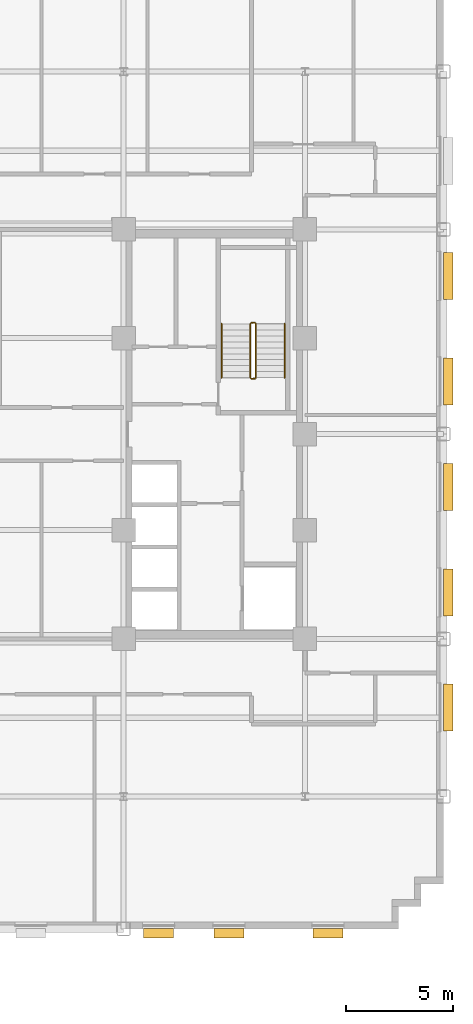
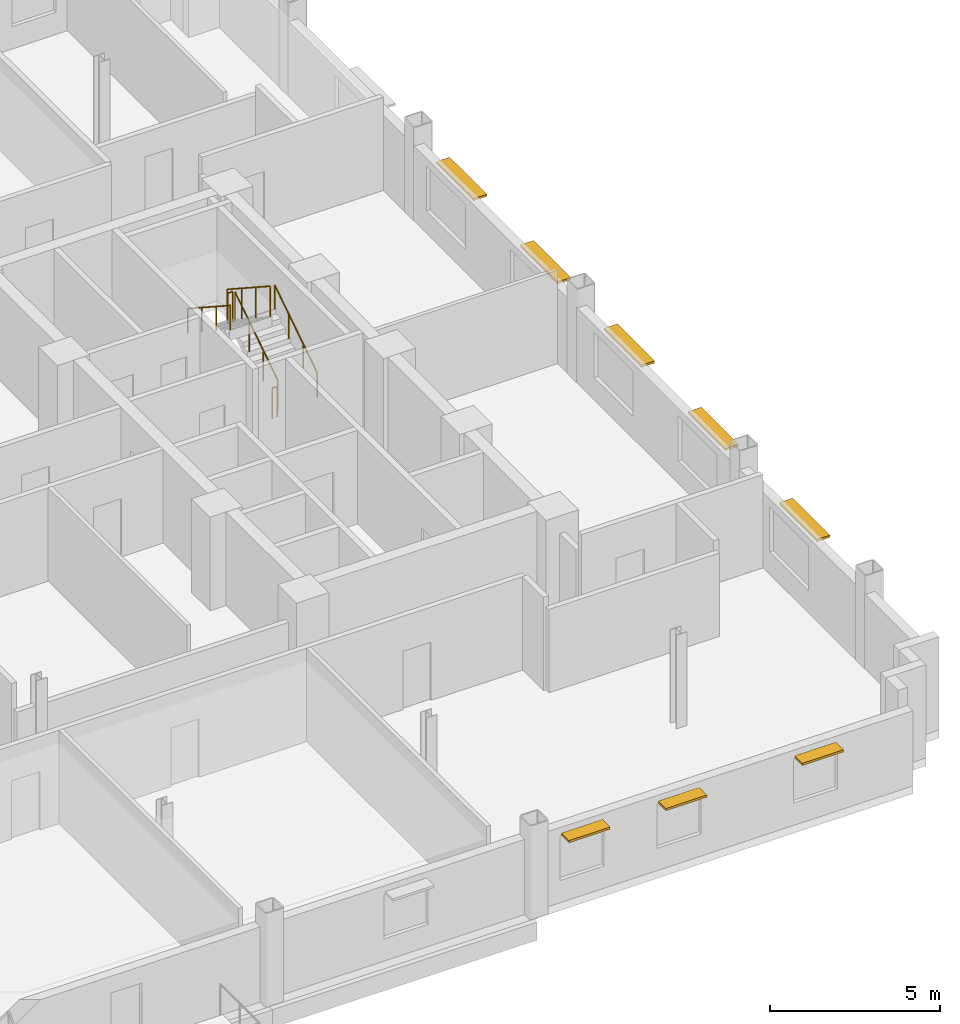
# One storey, part 13 of 14: 8 shading devices, 6 railings.
"""IFC4 building model written with IfcOpenShell, lengths in metres."""

import ifcopenshell
import ifcopenshell.guid

model = None  # the IFC model being written
_history = None  # IfcOwnerHistory: only IFC2X3 demands one
_inside = {}  # id of a spatial element -> (the spatial element, [elements in it])
_under = {}  # id of a project, library or spatial element -> (it, [spatial elements below it])
_declared = {}  # id of a project -> (the project, [libraries it declares])
_typed = {}  # id of a type object -> (the type object, [elements of that type])
_made_of = {}  # id of a material, layer set ... -> (it, [elements and type objects made of it])


def new_model(schema):
    """Start an empty IFC model of exactly this schema.

    Asked for "IFC4X3", IfcOpenShell would pick the latest addendum, in which some entities
    have other attributes; the version numbers below select the first issue.
    IFC2X3 requires an IfcOwnerHistory on every rooted entity: one is made here for all.
    """
    global model, _history
    if schema == "IFC4X3":
        model = ifcopenshell.file(schema_version=(4, 3, 0, 0))
    else:
        model = ifcopenshell.file(schema=schema)
    _inside.clear()
    _under.clear()
    _declared.clear()
    _typed.clear()
    _made_of.clear()
    _history = None
    if model.schema == "IFC2X3":
        org = make("IfcOrganization", Name="unknown")
        user = make(
            "IfcPersonAndOrganization",
            ThePerson=make("IfcPerson", FamilyName="unknown"),
            TheOrganization=org,
        )
        app = make(
            "IfcApplication",
            ApplicationDeveloper=org,
            Version="unknown",
            ApplicationFullName="unknown",
            ApplicationIdentifier="unknown",
        )
        _history = make(
            "IfcOwnerHistory",
            OwningUser=user,
            OwningApplication=app,
            ChangeAction="ADDED",
            CreationDate=0,
        )
    return model


def make(cls, **values):
    """One entity of the class cls with the attributes given. An attribute that is None is left unset."""
    return model.create_entity(
        cls, **{name: value for name, value in values.items() if value is not None}
    )


def rooted(cls, **values):
    """An entity with a GlobalId (a new one), such as an element, a storey or a relation."""
    return make(cls, GlobalId=ifcopenshell.guid.new(), OwnerHistory=_history, **values)


def si_unit(unit_type, name, prefix=None):
    """IfcSIUnit, for example si_unit("LENGTHUNIT", "METRE", prefix="MILLI")."""
    return make("IfcSIUnit", UnitType=unit_type, Prefix=prefix, Name=name)


def assignment(units):
    """IfcUnitAssignment: the units of a project."""
    return None if units is None else make("IfcUnitAssignment", Units=units)


def point(xyz):
    """IfcCartesianPoint."""
    return None if xyz is None else make("IfcCartesianPoint", Coordinates=xyz)


def direction(xyz):
    """IfcDirection."""
    return None if xyz is None else make("IfcDirection", DirectionRatios=xyz)


def frame(location, z_axis=None, x_axis=None):
    """IfcAxis2Placement3D, a coordinate frame: its origin and axes. An axis left out is left unset."""
    return make(
        "IfcAxis2Placement3D",
        Location=point(location),
        Axis=direction(z_axis),
        RefDirection=direction(x_axis),
    )


def frame_2d(location, x_axis=None):
    """IfcAxis2Placement2D, a coordinate frame in the plane: its origin and x axis."""
    return make(
        "IfcAxis2Placement2D", Location=point(location), RefDirection=direction(x_axis)
    )


def origin():
    """The frame at (0, 0, 0) with its axes left unset."""
    return frame((0.0, 0.0, 0.0))


def origin_2d():
    """The frame at (0, 0) in the plane with its x axis left unset."""
    return frame_2d((0.0, 0.0))


def place(relative_to, where):
    """IfcLocalPlacement: puts the frame where relative to a parent placement (None: the world)."""
    return make(
        "IfcLocalPlacement", PlacementRelTo=relative_to, RelativePlacement=where
    )


def context(
    kind, dimensions, precision=None, world=None, true_north=None, identifier=None
):
    """IfcGeometricRepresentationContext, for example the 3D "Model" context."""
    return make(
        "IfcGeometricRepresentationContext",
        ContextIdentifier=identifier,
        ContextType=kind,
        CoordinateSpaceDimension=dimensions,
        Precision=precision,
        WorldCoordinateSystem=world,
        TrueNorth=true_north,
    )


def subcontext(parent, identifier, kind, view, scale=None):
    """IfcGeometricRepresentationSubContext, for example "Body" below "Model"."""
    return make(
        "IfcGeometricRepresentationSubContext",
        ContextIdentifier=identifier,
        ContextType=kind,
        ParentContext=parent,
        TargetScale=scale,
        TargetView=view,
    )


def project(units=None, contexts=None):
    """IfcProject with its units and contexts."""
    return rooted(
        "IfcProject",
        Name="project",
        RepresentationContexts=contexts,
        UnitsInContext=assignment(units),
    )


def spatial(cls, under=None, at=None, **own):
    """A site, building, storey or space (cls), placed at a placement, below another one or the project."""
    s = rooted(cls, ObjectPlacement=at, **own)
    if under is not None:
        _under.setdefault(under.id(), (under, []))[1].append(s)
    return s


def profile(cls, at=None, kind="AREA", **sizes):
    """A parametric profile (cls). Its sizes go by their IFC names, for example OverallWidth=200.0."""
    return make(cls, ProfileType=kind, Position=at, **sizes)


def rectangle(**sizes):
    """IfcRectangleProfileDef."""
    return profile("IfcRectangleProfileDef", **sizes)


def circle(**sizes):
    """IfcCircleProfileDef."""
    return profile("IfcCircleProfileDef", **sizes)


def extrude(swept, where, along, depth):
    """IfcExtrudedAreaSolid: the profile swept, set in the frame where, extruded along a direction by depth."""
    return make(
        "IfcExtrudedAreaSolid",
        SweptArea=swept,
        Position=where,
        ExtrudedDirection=direction(along),
        Depth=depth,
    )


def shape(context_of_items, identifier, shape_type, items):
    """IfcShapeRepresentation: the items that make up one representation, for example the "Body"."""
    return make(
        "IfcShapeRepresentation",
        ContextOfItems=context_of_items,
        RepresentationIdentifier=identifier,
        RepresentationType=shape_type,
        Items=items,
    )


def source(mapping_origin, context_of_items, identifier, shape_type, items):
    """IfcRepresentationMap: a shape defined once, which mapped items show again and again."""
    return make(
        "IfcRepresentationMap",
        MappingOrigin=mapping_origin,
        MappedRepresentation=shape(context_of_items, identifier, shape_type, items),
    )


def transform(
    local_origin,
    x_axis=None,
    y_axis=None,
    z_axis=None,
    scale=None,
    scale2=None,
    scale3=None,
    uniform=True,
):
    """IfcCartesianTransformationOperator3D, or its non-uniform kind. x_axis, y_axis, z_axis: its Axis1, 2, 3."""
    if uniform:
        return make(
            "IfcCartesianTransformationOperator3D",
            Axis1=direction(x_axis),
            Axis2=direction(y_axis),
            LocalOrigin=point(local_origin),
            Scale=scale,
            Axis3=direction(z_axis),
        )
    return make(
        "IfcCartesianTransformationOperator3DnonUniform",
        Axis1=direction(x_axis),
        Axis2=direction(y_axis),
        LocalOrigin=point(local_origin),
        Scale=scale,
        Axis3=direction(z_axis),
        Scale2=scale2,
        Scale3=scale3,
    )


def mapped(mapping_source, mapping_target):
    """IfcMappedItem: shows the shape of a source again, moved by a transform."""
    return make(
        "IfcMappedItem", MappingSource=mapping_source, MappingTarget=mapping_target
    )


def material(Name=None, Category=None):
    """IfcMaterial."""
    return make("IfcMaterial", Name=Name, Category=Category)


def made_of(thing, what):
    """Note that an element or type object is made of a material, layer set ...; save() writes the relation."""
    if what is not None:
        _made_of.setdefault(what.id(), (what, []))[1].append(thing)
    return thing


def type_object(cls, material=None, **own):
    """A type object (cls), such as IfcWallType, which elements share."""
    return made_of(rooted(cls, **own), material)


def type_shapes(of_type, sources):
    """Give a type object the sources (RepresentationMaps) that its elements show as mapped items."""
    of_type.RepresentationMaps = sources


def element(
    cls,
    number,
    at=None,
    inside=None,
    cuts=None,
    type_object=None,
    material=None,
    context=None,
    identifier="Body",
    shape_type=None,
    held_by="IfcProductDefinitionShape",
    body=None,
    shapes=None,
    **own,
):
    """One element of the class cls, such as IfcWall. Its Tag is "e" and its number.

    at: its placement. inside: the storey or other place that contains it. cuts: it is an
    opening in that element (IfcRelVoidsElement). A single representation is given by context,
    identifier, shape_type and body (its items); several are given by shapes. held_by: the class
    of the entity that holds the representations. save() writes the other relations.
    """
    e = rooted(cls, Tag="e%d" % number, ObjectPlacement=at, **own)
    if body is not None:
        shapes = [shape(context, identifier, shape_type, body)]
    if shapes is not None:
        e.Representation = make(held_by, Representations=shapes)
    if inside is not None:
        _inside.setdefault(inside.id(), (inside, []))[1].append(e)
    if cuts is not None:
        rooted(
            "IfcRelVoidsElement", RelatingBuildingElement=cuts, RelatedOpeningElement=e
        )
    if type_object is not None:
        _typed.setdefault(type_object.id(), (type_object, []))[1].append(e)
    return made_of(e, material)


def aggregate(whole, parts):
    """IfcRelAggregates: a whole, such as a stair, and the parts it consists of."""
    return rooted("IfcRelAggregates", RelatingObject=whole, RelatedObjects=parts)


def save(model, path):
    """Write the relations noted so far, then the file.

    IfcRelAggregates (storeys below a building ...), IfcRelContainedInSpatialStructure (elements
    in a storey), IfcRelDefinesByType, IfcRelAssociatesMaterial and IfcRelDeclares: one each for
    every whole, place, type object, material and project.
    """
    for whole, parts in _under.values():
        aggregate(whole, parts)
    for where, things in _inside.values():
        rooted(
            "IfcRelContainedInSpatialStructure",
            RelatedElements=things,
            RelatingStructure=where,
        )
    for kind, things in _typed.values():
        rooted("IfcRelDefinesByType", RelatedObjects=things, RelatingType=kind)
    for what, things in _made_of.values():
        rooted("IfcRelAssociatesMaterial", RelatedObjects=things, RelatingMaterial=what)
    for by, libraries in _declared.values():
        rooted("IfcRelDeclares", RelatingContext=by, RelatedDefinitions=libraries)
    model.write(path)


model = new_model("IFC4")

# Units and contexts
model_context = context("Model", 3, precision=1e-05, world=origin(), true_north=direction((0.0, 1.0)))
body_context = subcontext(model_context, "Body", "Model", "MODEL_VIEW")
ifc_project = project(units=[si_unit("LENGTHUNIT", "METRE"), si_unit("AREAUNIT", "SQUARE_METRE"), si_unit("VOLUMEUNIT", "CUBIC_METRE"), si_unit("PLANEANGLEUNIT", "RADIAN"), si_unit("MASSUNIT", "GRAM", prefix="KILO")], contexts=[model_context])

# Site, building, storey
site_placement = place(None, origin())
site = spatial("IfcSite", under=ifc_project, at=site_placement, CompositionType="ELEMENT")
building_placement = place(site_placement, origin())
building = spatial("IfcBuilding", under=site, at=building_placement, Name="Nuvemarco Arch Tower", CompositionType="ELEMENT")
storey_placement = place(building_placement, frame((0.0, 0.0, 109.25)))
storey = spatial("IfcBuildingStorey", under=building, at=storey_placement, Name="L28", CompositionType="ELEMENT", Elevation=109.25)

# Railings
ifc_material_1 = material(Name="Brushed stainless steel handrail", Category="steel")
railing_type_1 = type_object("IfcRailingType", Name="RL-HANDRAIL-900", PredefinedType="HANDRAIL", material=ifc_material_1)
railing_1_placement = place(storey_placement, frame((16.550048828125, 2.64990234375, 0.1826171875)))
element("IfcRailing", 1, at=railing_1_placement, inside=storey, type_object=railing_type_1, Name="L28 ST-2 stair handrail 1", PredefinedType="HANDRAIL", context=body_context, shape_type="SweptSolid", body=[
    extrude(circle(Radius=0.02392578125, at=origin_2d()), frame((0.0, 0.0, 0.8759765625), z_axis=(0.0, 0.837786554691, 0.545997883492), x_axis=(-1.0, 0.0, 0.0)), (0.0, 0.0, 1.0), 3.008056640625),
    extrude(circle(Radius=0.02099609375, at=origin_2d()), origin(), (0.0, 0.0, 1.0), 0.851806640625),
    extrude(circle(Radius=0.02099609375, at=origin_2d()), frame((0.0, 0.840087890625, 0.54736328125)), (0.0, 0.0, 1.0), 0.851806640625),
    extrude(circle(Radius=0.02099609375, at=origin_2d()), frame((0.0, 1.679931640625, 1.094970703125)), (0.0, 0.0, 1.0), 0.851806640625),
    extrude(circle(Radius=0.02099609375, at=origin_2d()), frame((0.0, 2.52001953125, 1.642333984375)), (0.0, 0.0, 1.0), 0.851806640625),
])
railing_2_placement = place(storey_placement, frame((13.590087890625, 5.169921875, 2.007568359375)))
element("IfcRailing", 2, at=railing_2_placement, inside=storey, type_object=railing_type_1, Name="L28 ST-2 stair handrail 2", PredefinedType="HANDRAIL", context=body_context, shape_type="SweptSolid", body=[
    extrude(circle(Radius=0.02392578125, at=origin_2d()), frame((0.0, 0.0, 0.8759765625), z_axis=(0.0, -0.837786554691, 0.545997883492), x_axis=(1.0, 0.0, 0.0)), (0.0, 0.0, 1.0), 3.008056640625),
    extrude(circle(Radius=0.02099609375, at=origin_2d()), origin(), (0.0, 0.0, 1.0), 0.851806640625),
    extrude(circle(Radius=0.02099609375, at=origin_2d()), frame((0.0, -0.840087890625, 0.54736328125)), (0.0, 0.0, 1.0), 0.851806640625),
    extrude(circle(Radius=0.02099609375, at=origin_2d()), frame((0.0, -1.679931640625, 1.094970703125)), (0.0, 0.0, 1.0), 0.851806640625),
    extrude(circle(Radius=0.02099609375, at=origin_2d()), frame((0.0, -2.52001953125, 1.642333984375)), (0.0, 0.0, 1.0), 0.851806640625),
])
ifc_material_2 = material(Name="Painted balustrade steel S355", Category="steel")
railing_type_2 = type_object("IfcRailingType", Name="RL-STAIR-GUARD", PredefinedType="GUARDRAIL", material=ifc_material_2)
railing_3_placement = place(storey_placement, frame((15.199951171875, 2.64990234375, 0.1826171875)))
element("IfcRailing", 3, at=railing_3_placement, inside=storey, type_object=railing_type_2, Name="L28 ST-2 stair guard 1", PredefinedType="GUARDRAIL", context=body_context, shape_type="SweptSolid", body=[
    extrude(circle(Radius=0.02392578125, at=origin_2d()), frame((0.0, 0.0, 1.09619140625), z_axis=(0.0, 0.837786554691, 0.545997883492), x_axis=(-1.0, 0.0, 0.0)), (0.0, 0.0, 1.0), 3.008056640625),
    extrude(circle(Radius=0.02099609375, at=origin_2d()), origin(), (0.0, 0.0, 1.0), 1.072021484375),
    extrude(circle(Radius=0.02099609375, at=origin_2d()), frame((0.0, 0.840087890625, 0.54736328125)), (0.0, 0.0, 1.0), 1.072021484375),
    extrude(circle(Radius=0.02099609375, at=origin_2d()), frame((0.0, 1.679931640625, 1.094970703125)), (0.0, 0.0, 1.0), 1.072021484375),
    extrude(circle(Radius=0.02099609375, at=origin_2d()), frame((0.0, 2.52001953125, 1.642333984375)), (0.0, 0.0, 1.0), 1.072021484375),
])
railing_4_placement = place(storey_placement, frame((15.14990234375, 5.219970703125, 1.824951171875)))
element("IfcRailing", 4, at=railing_4_placement, inside=storey, type_object=railing_type_2, Name="L28 ST-2 stair guard 2", PredefinedType="GUARDRAIL", context=body_context, shape_type="SweptSolid", body=[
    extrude(circle(Radius=0.02392578125, at=origin_2d()), frame((0.0, 0.0, 1.09619140625), z_axis=(-1.0, 0.0, 0.0), x_axis=(0.0, -1.0, 0.0)), (0.0, 0.0, 1.0), 0.159912109375),
    extrude(circle(Radius=0.02099609375, at=origin_2d()), origin(), (0.0, 0.0, 1.0), 1.072021484375),
    extrude(circle(Radius=0.02099609375, at=origin_2d()), frame((-0.159912109375, 0.0, 0.0)), (0.0, 0.0, 1.0), 1.072021484375),
])
railing_5_placement = place(storey_placement, frame((14.93994140625, 5.169921875, 2.007568359375)))
element("IfcRailing", 5, at=railing_5_placement, inside=storey, type_object=railing_type_2, Name="L28 ST-2 stair guard 3", PredefinedType="GUARDRAIL", context=body_context, shape_type="SweptSolid", body=[
    extrude(circle(Radius=0.02392578125, at=origin_2d()), frame((0.0, 0.0, 1.09619140625), z_axis=(0.0, -0.837786554691, 0.545997883492), x_axis=(1.0, 0.0, 0.0)), (0.0, 0.0, 1.0), 3.008056640625),
    extrude(circle(Radius=0.02099609375, at=origin_2d()), origin(), (0.0, 0.0, 1.0), 1.072021484375),
    extrude(circle(Radius=0.02099609375, at=origin_2d()), frame((0.0, -0.840087890625, 0.54736328125)), (0.0, 0.0, 1.0), 1.072021484375),
    extrude(circle(Radius=0.02099609375, at=origin_2d()), frame((0.0, -1.679931640625, 1.094970703125)), (0.0, 0.0, 1.0), 1.072021484375),
    extrude(circle(Radius=0.02099609375, at=origin_2d()), frame((0.0, -2.52001953125, 1.642333984375)), (0.0, 0.0, 1.0), 1.072021484375),
])
railing_6_placement = place(storey_placement, frame((15.14990234375, 2.60009765625, 0.0)))
element("IfcRailing", 6, at=railing_6_placement, inside=storey, type_object=railing_type_2, Name="L28 ST-2 stair guard 4", PredefinedType="GUARDRAIL", context=body_context, shape_type="SweptSolid", body=[
    extrude(circle(Radius=0.02392578125, at=origin_2d()), frame((0.0, 0.0, 1.09619140625), z_axis=(-1.0, 0.0, 0.0), x_axis=(0.0, -1.0, 0.0)), (0.0, 0.0, 1.0), 0.159912109375),
    extrude(circle(Radius=0.02099609375, at=origin_2d()), origin(), (0.0, 0.0, 1.0), 1.072021484375),
    extrude(circle(Radius=0.02099609375, at=origin_2d()), frame((-0.159912109375, 0.0, 0.0)), (0.0, 0.0, 1.0), 1.072021484375),
])

# Shading devices
ifc_material_3 = material(Name="Anodised aluminium 6063-T6", Category="aluminium")
shading_device_type_1 = type_object("IfcShadingDeviceType", Name="SHD-BRISE-SOLEIL", PredefinedType="USERDEFINED", material=ifc_material_3)
shared_shape_1 = source(origin(), body_context, "Body", "SweptSolid", [
    extrude(rectangle(XDim=2.199951171875, YDim=0.449951171875, at=origin_2d()), origin(), (0.0, 0.0, 1.0), 0.080078125),
])
type_shapes(shading_device_type_1, [shared_shape_1])
for number, where, z_axis, x_axis, name in (
    (7, (24.215087890625, -12.81494140625, 2.425048828125), (0.0, 0.0, 1.0), (0.0, 1.0, 0.0), "L28 horizontal brise-soleil sunshade"),
    (8, (24.215087890625, -7.4189453125, 2.425048828125), (0.0, 0.0, 1.0), (0.0, 1.0, 0.0), "L28 horizontal brise-soleil sunshade"),
    (9, (24.215087890625, -2.472900390625, 2.425048828125), (0.0, 0.0, 1.0), (0.0, 1.0, 0.0), "L28 horizontal brise-soleil sunshade"),
    (10, (24.215087890625, 2.472900390625, 2.425048828125), (0.0, 0.0, 1.0), (0.0, 1.0, 0.0), "L28 horizontal brise-soleil sunshade"),
    (11, (24.215087890625, 7.4189453125, 2.425048828125), (0.0, 0.0, 1.0), (0.0, 1.0, 0.0), "L28 horizontal brise-soleil sunshade"),
):
    element("IfcShadingDevice", number, at=place(storey_placement, frame(where, z_axis=z_axis, x_axis=x_axis)), inside=storey, type_object=shading_device_type_1, Name=name, ObjectType="SUNSHADE", PredefinedType="USERDEFINED", context=body_context, shape_type="MappedRepresentation", body=[
        mapped(shared_shape_1, transform((0.0, 0.0, 0.0), scale=1.0)),
    ])
shading_device_type_2 = type_object("IfcShadingDeviceType", Name="SHD-BRISE-NARROW", PredefinedType="USERDEFINED", material=ifc_material_3)
shared_shape_2 = source(origin(), body_context, "Body", "SweptSolid", [
    extrude(rectangle(XDim=1.39990234375, YDim=0.449951171875, at=origin_2d()), origin(), (0.0, 0.0, 1.0), 0.080078125),
])
type_shapes(shading_device_type_2, [shared_shape_2])
for number, where, z_axis, x_axis, name in (
    (12, (10.638916015625, -23.4150390625, 2.405029296875), (0.0, 0.0, 1.0), (1.0, 0.0, 0.0), "L28 horizontal brise-soleil sunshade"),
    (13, (13.933349609375, -23.4150390625, 2.405029296875), (0.0, 0.0, 1.0), (1.0, 0.0, 0.0), "L28 horizontal brise-soleil sunshade"),
    (14, (18.577880859375, -23.4150390625, 2.405029296875), (0.0, 0.0, 1.0), (1.0, 0.0, 0.0), "L28 horizontal brise-soleil sunshade"),
):
    element("IfcShadingDevice", number, at=place(storey_placement, frame(where, z_axis=z_axis, x_axis=x_axis)), inside=storey, type_object=shading_device_type_2, Name=name, ObjectType="SUNSHADE", PredefinedType="USERDEFINED", context=body_context, shape_type="MappedRepresentation", body=[
        mapped(shared_shape_2, transform((0.0, 0.0, 0.0), scale=1.0)),
    ])

save(model, "model.ifc")
